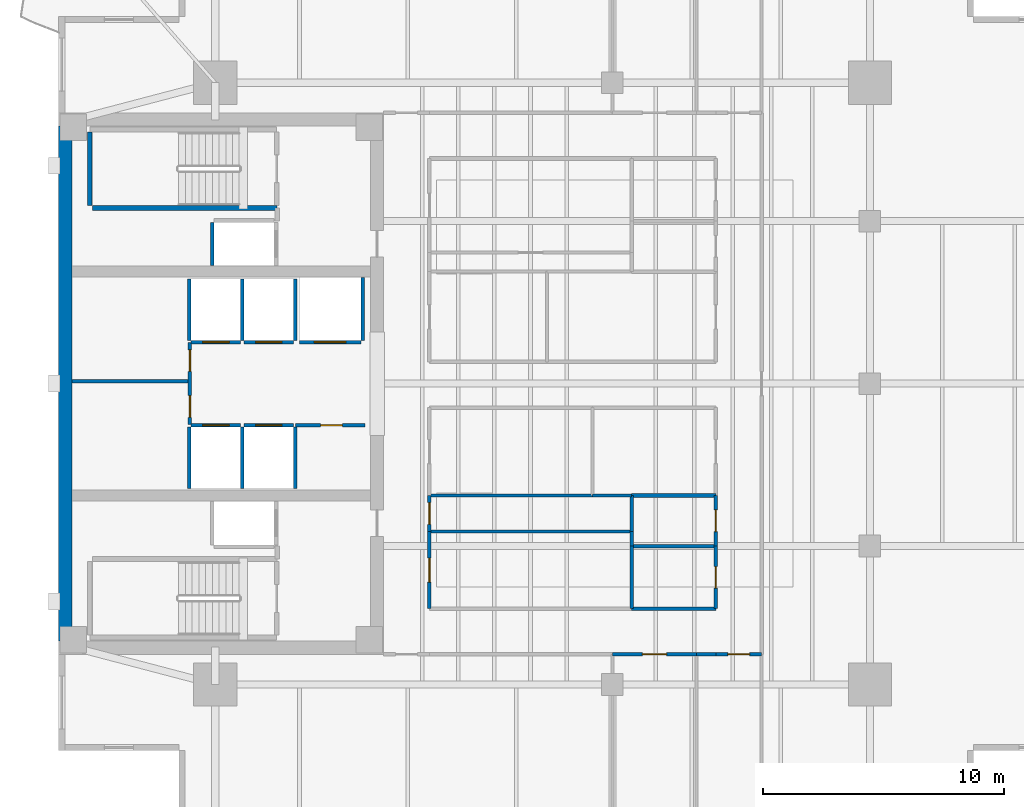
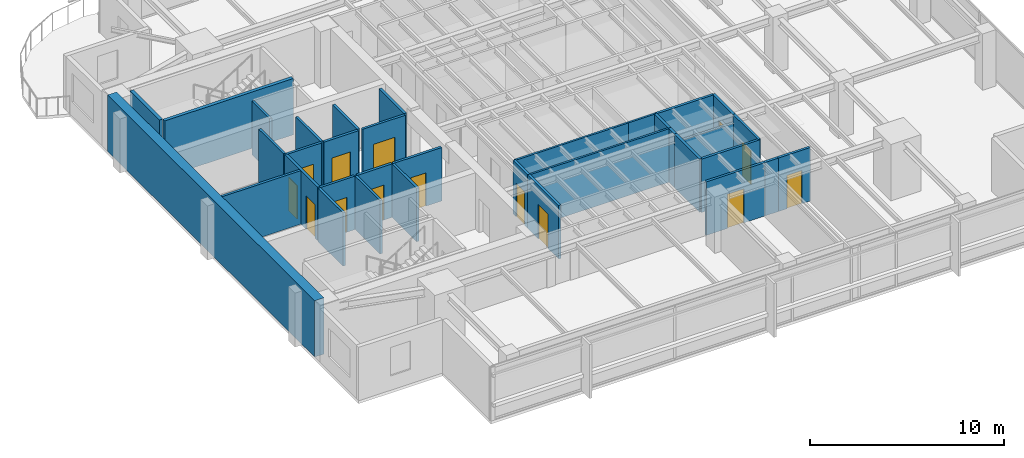
# One storey, part 8 of 15: 35 walls, 14 doors, 14 openings.
"""IFC4 building model written with IfcOpenShell, lengths in metres."""

from ifc_helpers import new_model, si_unit, direction, frame, frame_2d, origin, place, context, subcontext, project, spatial, rectangle, extrude, material, layer, layer_set, type_object, element, fill, save


model = new_model("IFC4")

# Units and contexts
model_context = context("Model", 3, precision=1e-05, world=origin(), true_north=direction((0.0, 1.0)))
body_context = subcontext(model_context, "Body", "Model", "MODEL_VIEW")
ifc_project = project(units=[si_unit("LENGTHUNIT", "METRE"), si_unit("AREAUNIT", "SQUARE_METRE"), si_unit("VOLUMEUNIT", "CUBIC_METRE"), si_unit("PLANEANGLEUNIT", "RADIAN"), si_unit("MASSUNIT", "GRAM", prefix="KILO")], contexts=[model_context])

# Site, building, storey
site_placement = place(None, origin())
site = spatial("IfcSite", under=ifc_project, at=site_placement, CompositionType="ELEMENT")
building_placement = place(site_placement, origin())
building = spatial("IfcBuilding", under=site, at=building_placement, Name="Kinhvarn Gate Tower", CompositionType="ELEMENT")
storey_placement = place(building_placement, frame((0.0, 0.0, 220.0)))
storey = spatial("IfcBuildingStorey", under=building, at=storey_placement, Name="L58", CompositionType="ELEMENT", Elevation=220.0)

# Walls
ifc_material_1 = material(Name="Concrete C60/75", Category="concrete")
ifc_layer_1 = layer(ifc_material_1, 0.550048828125)
ifc_layer_set_1 = layer_set([ifc_layer_1], Name="Concrete C60/75")
wall_type_1 = type_object("IfcWallType", Name="WL-COREX-550", PredefinedType="SHEAR", material=ifc_layer_set_1)
wall_1_placement = place(storey_placement, frame((4.77490234375, 14.550048828125, 0.0), z_axis=(0.0, 0.0, 1.0), x_axis=(0.0, 1.0, 0.0)))
element("IfcWall", 1, at=wall_1_placement, inside=storey, type_object=wall_type_1, Name="Core West Shear Wall L58 550 mm", PredefinedType="SHEAR", context=body_context, shape_type="SweptSolid", body=[
    extrude(rectangle(XDim=21.39990234375, YDim=0.550048828125, at=frame_2d((10.699951171875, 0.0))), origin(), (0.0, 0.0, 1.0), 3.550048828125),
])
ifc_material_2 = material(Name="Gypsum acoustic partition board")
ifc_layer_2 = layer(ifc_material_2, 0.14990234375)
ifc_layer_set_2 = layer_set([ifc_layer_2], Name="Gypsum acoustic partition board")
wall_type_2 = type_object("IfcWallType", Name="WL-PLM-150", PredefinedType="PLUMBINGWALL", material=ifc_layer_set_2)
wall_2_placement = place(storey_placement, frame((28.300048828125, 18.5, 0.0), z_axis=(0.0, 0.0, 1.0), x_axis=(1.0, 0.0, 0.0)))
element("IfcWall", 2, at=wall_2_placement, inside=storey, type_object=wall_type_2, Name="Interior Partition PLW-150 (L58)", PredefinedType="PLUMBINGWALL", context=body_context, shape_type="SweptSolid", body=[
    extrude(rectangle(XDim=3.5, YDim=0.14990234375, at=frame_2d((1.75, 0.0))), origin(), (0.0, 0.0, 1.0), 2.8701171875),
])
wall_3_placement = place(storey_placement, frame((28.300048828125, 15.89990234375, 0.0), z_axis=(0.0, 0.0, 1.0), x_axis=(0.0, 1.0, 0.0)))
element("IfcWall", 3, at=wall_3_placement, inside=storey, type_object=wall_type_2, Name="Interior Partition PLW-150 (L58)", PredefinedType="PLUMBINGWALL", context=body_context, shape_type="SweptSolid", body=[
    extrude(rectangle(XDim=2.60009765625, YDim=0.14990234375, at=frame_2d((1.300048828125, 0.0))), origin(), (0.0, 0.0, 1.0), 3.3701171875),
])
wall_4_placement = place(storey_placement, frame((28.300048828125, 18.5, 0.0), z_axis=(0.0, 0.0, 1.0), x_axis=(0.0, 1.0, 0.0)))
element("IfcWall", 4, at=wall_4_placement, inside=storey, type_object=wall_type_2, Name="Interior Partition PLW-150 (L58)", PredefinedType="PLUMBINGWALL", context=body_context, shape_type="SweptSolid", body=[
    extrude(rectangle(XDim=0.60009765625, YDim=0.14990234375, at=frame_2d((0.300048828125, 0.0))), origin(), (0.0, 0.0, 1.0), 3.3701171875),
])
wall_5_placement = place(storey_placement, frame((28.300048828125, 19.10009765625, 0.0), z_axis=(0.0, 0.0, 1.0), x_axis=(0.0, 1.0, 0.0)))
element("IfcWall", 5, at=wall_5_placement, inside=storey, type_object=wall_type_2, Name="Interior Partition PLW-150 (L58)", PredefinedType="PLUMBINGWALL", context=body_context, shape_type="SweptSolid", body=[
    extrude(rectangle(XDim=1.5, YDim=0.14990234375, at=frame_2d((0.75, 0.0))), origin(), (0.0, 0.0, 1.0), 3.3701171875),
])
wall_6_placement = place(storey_placement, frame((28.300048828125, 20.60009765625, 0.0), z_axis=(0.0, 0.0, 1.0), x_axis=(1.0, 0.0, 0.0)))
element("IfcWall", 6, at=wall_6_placement, inside=storey, type_object=wall_type_2, Name="Interior Partition PLW-150 (L58)", PredefinedType="PLUMBINGWALL", context=body_context, shape_type="SweptSolid", body=[
    extrude(rectangle(XDim=3.5, YDim=0.14990234375, at=frame_2d((1.75, 0.0))), origin(), (0.0, 0.0, 1.0), 3.3701171875),
])

# Wall, opening, door
ifc_layer_3 = layer(ifc_material_2, 0.14990234375)
ifc_layer_set_3 = layer_set([ifc_layer_3], Name="Gypsum acoustic partition board")
wall_type_3 = type_object("IfcWallType", Name="WL-PLM-150F", PredefinedType="PLUMBINGWALL", material=ifc_layer_set_3)
wall_7_placement = place(storey_placement, frame((31.800048828125, 15.89990234375, 0.0), z_axis=(0.0, 0.0, 1.0), x_axis=(0.0, 1.0, 0.0)))
wall_7 = element("IfcWall", 7, at=wall_7_placement, inside=storey, type_object=wall_type_3, Name="Interior Partition PLW-150F (L58)", PredefinedType="PLUMBINGWALL", context=body_context, shape_type="SweptSolid", body=[
    extrude(rectangle(XDim=2.60009765625, YDim=0.14990234375, at=frame_2d((1.300048828125, 0.0))), origin(), (0.0, 0.0, 1.0), 3.3701171875),
])
opening_1_placement = place(wall_7_placement, frame((0.85009765625, 0.0, 0.0)))
opening_1 = element("IfcOpeningElement", 8, at=opening_1_placement, cuts=wall_7, Name="Opening FD-04", PredefinedType="OPENING", context=body_context, shape_type="SweptSolid", body=[
    extrude(rectangle(XDim=0.89990234375, YDim=2.10009765625, at=frame_2d((0.449951171875, 1.050048828125))), frame((0.0, 0.0849609375, 0.0), z_axis=(0.0, -1.0, 0.0), x_axis=(1.0, 0.0, 0.0)), (0.0, 0.0, 1.0), 0.169921875),
])
ifc_material_3 = material(Name="Anodised aluminium AW-6063", Category="aluminium")
door_type_1 = type_object("IfcDoorType", Name="DR-FD-900", OperationType="NOTDEFINED", PredefinedType="DOOR", material=ifc_material_3)
door_1_placement = place(opening_1_placement, origin())
door_1 = element("IfcDoor", 9, at=door_1_placement, inside=storey, type_object=door_type_1, Name="Rated Riser & Service Closet Fire Door 900x2100 mm (L58)", OperationType="SINGLE_SWING_RIGHT", OverallHeight=2.10009765625, OverallWidth=0.89990234375, PredefinedType="DOOR", context=body_context, shape_type="SweptSolid", body=[
    extrude(rectangle(XDim=0.89990234375, YDim=2.10009765625, at=frame_2d((0.449951171875, 1.050048828125))), frame((0.0, 0.02490234375, 0.0), z_axis=(0.0, -1.0, 0.0), x_axis=(1.0, 0.0, 0.0)), (0.0, 0.0, 1.0), 0.050048828125),
])
fill(opening_1, door_1)

wall_8_placement = place(storey_placement, frame((31.800048828125, 18.5, 0.0), z_axis=(0.0, 0.0, 1.0), x_axis=(0.0, 1.0, 0.0)))
wall_8 = element("IfcWall", 10, at=wall_8_placement, inside=storey, type_object=wall_type_3, Name="Interior Partition PLW-150F (L58)", PredefinedType="PLUMBINGWALL", context=body_context, shape_type="SweptSolid", body=[
    extrude(rectangle(XDim=2.10009765625, YDim=0.14990234375, at=frame_2d((1.050048828125, 0.0))), origin(), (0.0, 0.0, 1.0), 3.3701171875),
])
opening_2_placement = place(wall_8_placement, frame((0.60009765625, 0.0, 0.0)))
opening_2 = element("IfcOpeningElement", 11, at=opening_2_placement, cuts=wall_8, Name="Opening FD-04", PredefinedType="OPENING", context=body_context, shape_type="SweptSolid", body=[
    extrude(rectangle(XDim=0.89990234375, YDim=2.10009765625, at=frame_2d((0.449951171875, 1.050048828125))), frame((0.0, 0.0849609375, 0.0), z_axis=(0.0, -1.0, 0.0), x_axis=(1.0, 0.0, 0.0)), (0.0, 0.0, 1.0), 0.169921875),
])
door_2_placement = place(opening_2_placement, origin())
door_2 = element("IfcDoor", 12, at=door_2_placement, inside=storey, type_object=door_type_1, Name="Rated Riser & Service Closet Fire Door 900x2100 mm (L58)", OperationType="SINGLE_SWING_RIGHT", OverallHeight=2.10009765625, OverallWidth=0.89990234375, PredefinedType="DOOR", context=body_context, shape_type="SweptSolid", body=[
    extrude(rectangle(XDim=0.89990234375, YDim=2.10009765625, at=frame_2d((0.449951171875, 1.050048828125))), frame((0.0, 0.02490234375, 0.0), z_axis=(0.0, -1.0, 0.0), x_axis=(1.0, 0.0, 0.0)), (0.0, 0.0, 1.0), 0.050048828125),
])
fill(opening_2, door_2)

# Walls
wall_9_placement = place(storey_placement, frame((28.300048828125, 15.89990234375, 0.0), z_axis=(0.0, 0.0, 1.0), x_axis=(1.0, 0.0, 0.0)))
element("IfcWall", 13, at=wall_9_placement, inside=storey, type_object=wall_type_3, Name="Interior Partition PLW-150F (L58)", PredefinedType="PLUMBINGWALL", context=body_context, shape_type="SweptSolid", body=[
    extrude(rectangle(XDim=3.5, YDim=0.14990234375, at=frame_2d((1.75, 0.0))), origin(), (0.0, 0.0, 1.0), 3.3701171875),
])
ifc_layer_4 = layer(ifc_material_2, 0.1201171875)
ifc_layer_set_4 = layer_set([ifc_layer_4], Name="Gypsum acoustic partition board")
wall_type_4 = type_object("IfcWallType", Name="WL-PRT-120", PredefinedType="PARTITIONING", material=ifc_layer_set_4)
wall_10_placement = place(storey_placement, frame((19.89990234375, 19.10009765625, 0.0), z_axis=(0.0, 0.0, 1.0), x_axis=(1.0, 0.0, 0.0)))
element("IfcWall", 14, at=wall_10_placement, inside=storey, type_object=wall_type_4, Name="Interior Partition PW-120 (L58)", PredefinedType="PARTITIONING", context=body_context, shape_type="SweptSolid", body=[
    extrude(rectangle(XDim=8.400146484375, YDim=0.1201171875, at=frame_2d((4.2001953125, 0.0))), origin(), (0.0, 0.0, 1.0), 3.3701171875),
])
wall_11_placement = place(storey_placement, frame((19.89990234375, 20.60009765625, 0.0), z_axis=(0.0, 0.0, 1.0), x_axis=(1.0, 0.0, 0.0)))
element("IfcWall", 15, at=wall_11_placement, inside=storey, type_object=wall_type_4, Name="Interior Partition PW-120 (L58)", PredefinedType="PARTITIONING", context=body_context, shape_type="SweptSolid", body=[
    extrude(rectangle(XDim=6.780029296875, YDim=0.1201171875, at=frame_2d((3.39013671875, 0.0))), origin(), (0.0, 0.0, 1.0), 3.3701171875),
])
wall_12_placement = place(storey_placement, frame((26.679931640625, 20.60009765625, 0.0), z_axis=(0.0, 0.0, 1.0), x_axis=(1.0, 0.0, 0.0)))
element("IfcWall", 16, at=wall_12_placement, inside=storey, type_object=wall_type_4, Name="Interior Partition PW-120 (L58)", PredefinedType="PARTITIONING", context=body_context, shape_type="SweptSolid", body=[
    extrude(rectangle(XDim=1.6201171875, YDim=0.1201171875, at=frame_2d((0.81005859375, 0.0))), origin(), (0.0, 0.0, 1.0), 3.3701171875),
])
ifc_layer_5 = layer(ifc_material_2, 0.14990234375)
ifc_layer_set_5 = layer_set([ifc_layer_5], Name="Gypsum acoustic partition board")
wall_type_5 = type_object("IfcWallType", Name="WL-PRT-150F", PredefinedType="PARTITIONING", material=ifc_layer_set_5)
wall_13_placement = place(storey_placement, frame((5.050048828125, 25.35009765625, 0.0), z_axis=(0.0, 0.0, 1.0), x_axis=(1.0, 0.0, 0.0)))
element("IfcWall", 17, at=wall_13_placement, inside=storey, type_object=wall_type_5, Name="Interior Partition PW-150F (L58)", PredefinedType="PARTITIONING", context=body_context, shape_type="SweptSolid", body=[
    extrude(rectangle(XDim=4.89990234375, YDim=0.14990234375, at=frame_2d((2.449951171875, 0.0))), origin(), (0.0, 0.0, 1.0), 3.3701171875),
])

# Wall, openings, doors
wall_14_placement = place(storey_placement, frame((9.949951171875, 23.550048828125, 0.0), z_axis=(0.0, 0.0, 1.0), x_axis=(0.0, 1.0, 0.0)))
wall_14 = element("IfcWall", 18, at=wall_14_placement, inside=storey, type_object=wall_type_5, Name="Interior Partition PW-150F (L58)", PredefinedType="PARTITIONING", context=body_context, shape_type="SweptSolid", body=[
    extrude(rectangle(XDim=3.39990234375, YDim=0.14990234375, at=frame_2d((1.699951171875, 0.0))), origin(), (0.0, 0.0, 1.0), 3.3701171875),
])
opening_3_placement = place(wall_14_placement, frame((0.298095703125, 0.0, 0.0)))
opening_3 = element("IfcOpeningElement", 19, at=opening_3_placement, cuts=wall_14, Name="Opening FD-04", PredefinedType="OPENING", context=body_context, shape_type="SweptSolid", body=[
    extrude(rectangle(XDim=0.89990234375, YDim=2.10009765625, at=frame_2d((0.449951171875, 1.050048828125))), frame((0.0, 0.0849609375, 0.0), z_axis=(0.0, -1.0, 0.0), x_axis=(1.0, 0.0, 0.0)), (0.0, 0.0, 1.0), 0.169921875),
])
opening_4_placement = place(wall_14_placement, frame((2.201904296875, 0.0, 0.0)))
opening_4 = element("IfcOpeningElement", 20, at=opening_4_placement, cuts=wall_14, Name="Opening FD-04", PredefinedType="OPENING", context=body_context, shape_type="SweptSolid", body=[
    extrude(rectangle(XDim=0.89990234375, YDim=2.10009765625, at=frame_2d((0.449951171875, 1.050048828125))), frame((0.0, 0.0849609375, 0.0), z_axis=(0.0, -1.0, 0.0), x_axis=(1.0, 0.0, 0.0)), (0.0, 0.0, 1.0), 0.169921875),
])
door_3_placement = place(opening_3_placement, origin())
door_3 = element("IfcDoor", 21, at=door_3_placement, inside=storey, type_object=door_type_1, Name="Rated Riser & Service Closet Fire Door 900x2100 mm (L58)", OperationType="SINGLE_SWING_RIGHT", OverallHeight=2.10009765625, OverallWidth=0.89990234375, PredefinedType="DOOR", context=body_context, shape_type="SweptSolid", body=[
    extrude(rectangle(XDim=0.89990234375, YDim=2.10009765625, at=frame_2d((0.449951171875, 1.050048828125))), frame((0.0, 0.02490234375, 0.0), z_axis=(0.0, -1.0, 0.0), x_axis=(1.0, 0.0, 0.0)), (0.0, 0.0, 1.0), 0.050048828125),
])
fill(opening_3, door_3)
door_4_placement = place(opening_4_placement, origin())
door_4 = element("IfcDoor", 22, at=door_4_placement, inside=storey, type_object=door_type_1, Name="Rated Riser & Service Closet Fire Door 900x2100 mm (L58)", OperationType="SINGLE_SWING_LEFT", OverallHeight=2.10009765625, OverallWidth=0.89990234375, PredefinedType="DOOR", context=body_context, shape_type="SweptSolid", body=[
    extrude(rectangle(XDim=0.89990234375, YDim=2.10009765625, at=frame_2d((0.449951171875, 1.050048828125))), frame((0.0, 0.02490234375, 0.0), z_axis=(0.0, -1.0, 0.0), x_axis=(1.0, 0.0, 0.0)), (0.0, 0.0, 1.0), 0.050048828125),
])
fill(opening_4, door_4)

# Wall, opening, door
wall_15_placement = place(storey_placement, frame((14.330078125, 23.52001953125, 0.0), z_axis=(0.0, 0.0, 1.0), x_axis=(1.0, 0.0, 0.0)))
wall_15 = element("IfcWall", 23, at=wall_15_placement, inside=storey, type_object=wall_type_5, Name="Interior Partition PW-150F (L58)", PredefinedType="PARTITIONING", context=body_context, shape_type="SweptSolid", body=[
    extrude(rectangle(XDim=2.889892578125, YDim=0.14990234375, at=frame_2d((1.44482421875, 0.0))), origin(), (0.0, 0.0, 1.0), 3.3701171875),
])
opening_5_placement = place(wall_15_placement, frame((1.052734375, 0.0, 0.0)))
opening_5 = element("IfcOpeningElement", 24, at=opening_5_placement, cuts=wall_15, Name="Opening FD-04", PredefinedType="OPENING", context=body_context, shape_type="SweptSolid", body=[
    extrude(rectangle(XDim=0.89990234375, YDim=2.10009765625, at=frame_2d((0.449951171875, 1.050048828125))), frame((0.0, 0.0849609375, 0.0), z_axis=(0.0, -1.0, 0.0), x_axis=(1.0, 0.0, 0.0)), (0.0, 0.0, 1.0), 0.169921875),
])
door_5_placement = place(opening_5_placement, origin())
door_5 = element("IfcDoor", 25, at=door_5_placement, inside=storey, type_object=door_type_1, Name="Rated Riser & Service Closet Fire Door 900x2100 mm (L58)", OperationType="SINGLE_SWING_RIGHT", OverallHeight=2.10009765625, OverallWidth=0.89990234375, PredefinedType="DOOR", context=body_context, shape_type="SweptSolid", body=[
    extrude(rectangle(XDim=0.89990234375, YDim=2.10009765625, at=frame_2d((0.449951171875, 1.050048828125))), frame((0.0, 0.02490234375, 0.0), z_axis=(0.0, -1.0, 0.0), x_axis=(1.0, 0.0, 0.0)), (0.0, 0.0, 1.0), 0.050048828125),
])
fill(opening_5, door_5)

wall_16_placement = place(storey_placement, frame((19.89990234375, 15.89990234375, 0.0), z_axis=(0.0, 0.0, 1.0), x_axis=(0.0, 1.0, 0.0)))
wall_16 = element("IfcWall", 26, at=wall_16_placement, inside=storey, type_object=wall_type_5, Name="Interior Partition PW-150F (L58)", PredefinedType="PARTITIONING", context=body_context, shape_type="SweptSolid", body=[
    extrude(rectangle(XDim=3.2001953125, YDim=0.14990234375, at=frame_2d((1.60009765625, 0.0))), origin(), (0.0, 0.0, 1.0), 3.3701171875),
])
opening_6_placement = place(wall_16_placement, frame((1.10009765625, 0.0, 0.0)))
opening_6 = element("IfcOpeningElement", 27, at=opening_6_placement, cuts=wall_16, Name="Opening ID-02", PredefinedType="OPENING", context=body_context, shape_type="SweptSolid", body=[
    extrude(rectangle(XDim=1.0, YDim=2.14990234375, at=frame_2d((0.5, 1.074951171875))), frame((0.0, 0.0849609375, 0.0), z_axis=(0.0, -1.0, 0.0), x_axis=(1.0, 0.0, 0.0)), (0.0, 0.0, 1.0), 0.169921875),
])
door_type_2 = type_object("IfcDoorType", Name="DR-INT-1000", OperationType="NOTDEFINED", PredefinedType="DOOR", material=ifc_material_3)
door_6_placement = place(opening_6_placement, origin())
door_6 = element("IfcDoor", 28, at=door_6_placement, inside=storey, type_object=door_type_2, Name="Standard Office & Meeting Room Door 1000x2150 mm (L58)", OperationType="SINGLE_SWING_LEFT", OverallHeight=2.14990234375, OverallWidth=1.0, PredefinedType="DOOR", context=body_context, shape_type="SweptSolid", body=[
    extrude(rectangle(XDim=1.0, YDim=2.14990234375, at=frame_2d((0.5, 1.074951171875))), frame((0.0, 0.02490234375, 0.0), z_axis=(0.0, -1.0, 0.0), x_axis=(1.0, 0.0, 0.0)), (0.0, 0.0, 1.0), 0.050048828125),
])
fill(opening_6, door_6)

wall_17_placement = place(storey_placement, frame((19.89990234375, 19.10009765625, 0.0), z_axis=(0.0, 0.0, 1.0), x_axis=(0.0, 1.0, 0.0)))
wall_17 = element("IfcWall", 29, at=wall_17_placement, inside=storey, type_object=wall_type_5, Name="Interior Partition PW-150F (L58)", PredefinedType="PARTITIONING", context=body_context, shape_type="SweptSolid", body=[
    extrude(rectangle(XDim=1.5, YDim=0.14990234375, at=frame_2d((0.75, 0.0))), origin(), (0.0, 0.0, 1.0), 3.3701171875),
])
opening_7_placement = place(wall_17_placement, frame((0.300048828125, 0.0, 0.0)))
opening_7 = element("IfcOpeningElement", 30, at=opening_7_placement, cuts=wall_17, Name="Opening ID-03", PredefinedType="OPENING", context=body_context, shape_type="SweptSolid", body=[
    extrude(rectangle(XDim=0.89990234375, YDim=2.10009765625, at=frame_2d((0.449951171875, 1.050048828125))), frame((0.0, 0.0849609375, 0.0), z_axis=(0.0, -1.0, 0.0), x_axis=(1.0, 0.0, 0.0)), (0.0, 0.0, 1.0), 0.169921875),
])
door_type_3 = type_object("IfcDoorType", Name="DR-INT-900", OperationType="NOTDEFINED", PredefinedType="DOOR", material=ifc_material_3)
door_7_placement = place(opening_7_placement, origin())
door_7 = element("IfcDoor", 31, at=door_7_placement, inside=storey, type_object=door_type_3, Name="Cellular Office & Restroom Door 900x2100 mm (L58)", OperationType="SINGLE_SWING_RIGHT", OverallHeight=2.10009765625, OverallWidth=0.89990234375, PredefinedType="DOOR", context=body_context, shape_type="SweptSolid", body=[
    extrude(rectangle(XDim=0.89990234375, YDim=2.10009765625, at=frame_2d((0.449951171875, 1.050048828125))), frame((0.0, 0.02490234375, 0.0), z_axis=(0.0, -1.0, 0.0), x_axis=(1.0, 0.0, 0.0)), (0.0, 0.0, 1.0), 0.050048828125),
])
fill(opening_7, door_7)

wall_18_placement = place(storey_placement, frame((31.800048828125, 14.0, 0.0), z_axis=(0.0, 0.0, 1.0), x_axis=(1.0, 0.0, 0.0)))
wall_18 = element("IfcWall", 32, at=wall_18_placement, inside=storey, type_object=wall_type_5, Name="Interior Partition PW-150F (L58)", PredefinedType="PARTITIONING", context=body_context, shape_type="SweptSolid", body=[
    extrude(rectangle(XDim=1.89990234375, YDim=0.14990234375, at=frame_2d((0.949951171875, 0.0))), origin(), (0.0, 0.0, 1.0), 3.3701171875),
])
opening_8_placement = place(wall_18_placement, frame((0.5, 0.0, 0.0)))
opening_8 = element("IfcOpeningElement", 33, at=opening_8_placement, cuts=wall_18, Name="Opening ID-03", PredefinedType="OPENING", context=body_context, shape_type="SweptSolid", body=[
    extrude(rectangle(XDim=0.89990234375, YDim=2.10009765625, at=frame_2d((0.449951171875, 1.050048828125))), frame((0.0, 0.0849609375, 0.0), z_axis=(0.0, -1.0, 0.0), x_axis=(1.0, 0.0, 0.0)), (0.0, 0.0, 1.0), 0.169921875),
])
door_8_placement = place(opening_8_placement, origin())
door_8 = element("IfcDoor", 34, at=door_8_placement, inside=storey, type_object=door_type_3, Name="Cellular Office & Restroom Door 900x2100 mm (L58)", OperationType="SINGLE_SWING_RIGHT", OverallHeight=2.10009765625, OverallWidth=0.89990234375, PredefinedType="DOOR", context=body_context, shape_type="SweptSolid", body=[
    extrude(rectangle(XDim=0.89990234375, YDim=2.10009765625, at=frame_2d((0.449951171875, 1.050048828125))), frame((0.0, 0.02490234375, 0.0), z_axis=(0.0, -1.0, 0.0), x_axis=(1.0, 0.0, 0.0)), (0.0, 0.0, 1.0), 0.050048828125),
])
fill(opening_8, door_8)

wall_19_placement = place(storey_placement, frame((27.5, 14.0, 0.0), z_axis=(0.0, 0.0, 1.0), x_axis=(1.0, 0.0, 0.0)))
wall_19 = element("IfcWall", 35, at=wall_19_placement, inside=storey, type_object=wall_type_5, Name="Interior Partition PW-150F (L58)", PredefinedType="PARTITIONING", context=body_context, shape_type="SweptSolid", body=[
    extrude(rectangle(XDim=3.5, YDim=0.14990234375, at=frame_2d((1.75, 0.0))), origin(), (0.0, 0.0, 1.0), 3.3701171875),
])
opening_9_placement = place(wall_19_placement, frame((1.25, 0.0, 0.0)))
opening_9 = element("IfcOpeningElement", 36, at=opening_9_placement, cuts=wall_19, Name="Opening ID-02", PredefinedType="OPENING", context=body_context, shape_type="SweptSolid", body=[
    extrude(rectangle(XDim=1.0, YDim=2.14990234375, at=frame_2d((0.5, 1.074951171875))), frame((0.0, 0.0849609375, 0.0), z_axis=(0.0, -1.0, 0.0), x_axis=(1.0, 0.0, 0.0)), (0.0, 0.0, 1.0), 0.169921875),
])
door_9_placement = place(opening_9_placement, origin())
door_9 = element("IfcDoor", 37, at=door_9_placement, inside=storey, type_object=door_type_2, Name="Standard Office & Meeting Room Door 1000x2150 mm (L58)", OperationType="SINGLE_SWING_LEFT", OverallHeight=2.14990234375, OverallWidth=1.0, PredefinedType="DOOR", context=body_context, shape_type="SweptSolid", body=[
    extrude(rectangle(XDim=1.0, YDim=2.14990234375, at=frame_2d((0.5, 1.074951171875))), frame((0.0, 0.02490234375, 0.0), z_axis=(0.0, -1.0, 0.0), x_axis=(1.0, 0.0, 0.0)), (0.0, 0.0, 1.0), 0.050048828125),
])
fill(opening_9, door_9)

# Wall
wall_20_placement = place(storey_placement, frame((31.0, 14.0, 0.0), z_axis=(0.0, 0.0, 1.0), x_axis=(1.0, 0.0, 0.0)))
element("IfcWall", 38, at=wall_20_placement, inside=storey, type_object=wall_type_5, Name="Interior Partition PW-150F (L58)", PredefinedType="PARTITIONING", context=body_context, shape_type="SweptSolid", body=[
    extrude(rectangle(XDim=0.800048828125, YDim=0.14990234375, at=frame_2d((0.39990234375, 0.0))), origin(), (0.0, 0.0, 1.0), 3.3701171875),
])

# Wall, opening, door
ifc_layer_6 = layer(ifc_material_2, 0.14990234375)
ifc_layer_set_6 = layer_set([ifc_layer_6], Name="Gypsum acoustic partition board")
wall_type_6 = type_object("IfcWallType", Name="WL-SHF-150", PredefinedType="PARTITIONING", material=ifc_layer_set_6)
wall_21_placement = place(storey_placement, frame((10.0, 23.52490234375, 0.0), z_axis=(0.0, 0.0, 1.0), x_axis=(1.0, 0.0, 0.0)))
wall_21 = element("IfcWall", 39, at=wall_21_placement, inside=storey, type_object=wall_type_6, Name="Elevator PH-09 Landing Wall (L58)", PredefinedType="PARTITIONING", context=body_context, shape_type="SweptSolid", body=[
    extrude(rectangle(XDim=2.050048828125, YDim=0.14990234375, at=frame_2d((1.02490234375, 0.0))), origin(), (0.0, 0.0, 1.0), 3.3701171875),
])
opening_10_placement = place(wall_21_placement, frame((0.47509765625, 0.0, 0.0)))
opening_10 = element("IfcOpeningElement", 40, at=opening_10_placement, cuts=wall_21, Name="Opening LD-01", PredefinedType="OPENING", context=body_context, shape_type="SweptSolid", body=[
    extrude(rectangle(XDim=1.10009765625, YDim=2.199951171875, at=frame_2d((0.550048828125, 1.10009765625))), frame((0.0, 0.0849609375, 0.0), z_axis=(0.0, -1.0, 0.0), x_axis=(1.0, 0.0, 0.0)), (0.0, 0.0, 1.0), 0.169921875),
])
door_type_4 = type_object("IfcDoorType", Name="DR-LND-PAS", OperationType="NOTDEFINED", PredefinedType="DOOR", material=ifc_material_3)
door_10_placement = place(opening_10_placement, origin())
door_10 = element("IfcDoor", 41, at=door_10_placement, inside=storey, type_object=door_type_4, Name="Elevator PH-09 Sliding Landing Door (L58)", OperationType="DOUBLE_DOOR_SLIDING", OverallHeight=2.199951171875, OverallWidth=1.10009765625, PredefinedType="DOOR", context=body_context, shape_type="SweptSolid", body=[
    extrude(rectangle(XDim=1.10009765625, YDim=2.199951171875, at=frame_2d((0.550048828125, 1.10009765625))), frame((0.0, 0.02490234375, 0.0), z_axis=(0.0, -1.0, 0.0), x_axis=(1.0, 0.0, 0.0)), (0.0, 0.0, 1.0), 0.050048828125),
])
fill(opening_10, door_10)

# Walls
for number, where, z_axis, x_axis, name in (
    (42, (9.925048828125, 20.89990234375, 0.0), (0.0, 0.0, 1.0), (0.0, 1.0, 0.0), "Elevator PH-09 Hoistway Wall W (L58)"),
    (43, (12.125, 20.89990234375, 0.0), (0.0, 0.0, 1.0), (0.0, 1.0, 0.0), "Elevator PH-09 Hoistway Wall E (L58)"),
):
    element("IfcWall", number, at=place(storey_placement, frame(where, z_axis=z_axis, x_axis=x_axis)), inside=storey, type_object=wall_type_6, Name=name, PredefinedType="PARTITIONING", context=body_context, shape_type="SweptSolid", body=[
        extrude(rectangle(XDim=2.550048828125, YDim=0.14990234375, at=frame_2d((1.27490234375, 0.0))), origin(), (0.0, 0.0, 1.0), 3.3701171875),
    ])

# Wall, opening, door
wall_22_placement = place(storey_placement, frame((12.199951171875, 23.52490234375, 0.0), z_axis=(0.0, 0.0, 1.0), x_axis=(1.0, 0.0, 0.0)))
wall_22 = element("IfcWall", 44, at=wall_22_placement, inside=storey, type_object=wall_type_6, Name="Elevator PH-10 Landing Wall (L58)", PredefinedType="PARTITIONING", context=body_context, shape_type="SweptSolid", body=[
    extrude(rectangle(XDim=2.050048828125, YDim=0.14990234375, at=frame_2d((1.02490234375, 0.0))), origin(), (0.0, 0.0, 1.0), 3.3701171875),
])
opening_11_placement = place(wall_22_placement, frame((0.47509765625, 0.0, 0.0)))
opening_11 = element("IfcOpeningElement", 45, at=opening_11_placement, cuts=wall_22, Name="Opening LD-01", PredefinedType="OPENING", context=body_context, shape_type="SweptSolid", body=[
    extrude(rectangle(XDim=1.10009765625, YDim=2.199951171875, at=frame_2d((0.550048828125, 1.10009765625))), frame((0.0, 0.0849609375, 0.0), z_axis=(0.0, -1.0, 0.0), x_axis=(1.0, 0.0, 0.0)), (0.0, 0.0, 1.0), 0.169921875),
])
door_11_placement = place(opening_11_placement, origin())
door_11 = element("IfcDoor", 46, at=door_11_placement, inside=storey, type_object=door_type_4, Name="Elevator PH-10 Sliding Landing Door (L58)", OperationType="DOUBLE_DOOR_SLIDING", OverallHeight=2.199951171875, OverallWidth=1.10009765625, PredefinedType="DOOR", context=body_context, shape_type="SweptSolid", body=[
    extrude(rectangle(XDim=1.10009765625, YDim=2.199951171875, at=frame_2d((0.550048828125, 1.10009765625))), frame((0.0, 0.02490234375, 0.0), z_axis=(0.0, -1.0, 0.0), x_axis=(1.0, 0.0, 0.0)), (0.0, 0.0, 1.0), 0.050048828125),
])
fill(opening_11, door_11)

# Wall
wall_23_placement = place(storey_placement, frame((14.324951171875, 20.89990234375, 0.0), z_axis=(0.0, 0.0, 1.0), x_axis=(0.0, 1.0, 0.0)))
element("IfcWall", 47, at=wall_23_placement, inside=storey, type_object=wall_type_6, Name="Elevator PH-10 Hoistway Wall E (L58)", PredefinedType="PARTITIONING", context=body_context, shape_type="SweptSolid", body=[
    extrude(rectangle(XDim=2.550048828125, YDim=0.14990234375, at=frame_2d((1.27490234375, 0.0))), origin(), (0.0, 0.0, 1.0), 3.3701171875),
])

# Wall, opening, door
wall_24_placement = place(storey_placement, frame((10.0, 26.97509765625, 0.0), z_axis=(0.0, 0.0, 1.0), x_axis=(1.0, 0.0, 0.0)))
wall_24 = element("IfcWall", 48, at=wall_24_placement, inside=storey, type_object=wall_type_6, Name="Elevator PH-11 Landing Wall (L58)", PredefinedType="PARTITIONING", context=body_context, shape_type="SweptSolid", body=[
    extrude(rectangle(XDim=2.050048828125, YDim=0.14990234375, at=frame_2d((1.02490234375, 0.0))), origin(), (0.0, 0.0, 1.0), 3.3701171875),
])
opening_12_placement = place(wall_24_placement, frame((0.47509765625, 0.0, 0.0)))
opening_12 = element("IfcOpeningElement", 49, at=opening_12_placement, cuts=wall_24, Name="Opening LD-01", PredefinedType="OPENING", context=body_context, shape_type="SweptSolid", body=[
    extrude(rectangle(XDim=1.10009765625, YDim=2.199951171875, at=frame_2d((0.550048828125, 1.10009765625))), frame((0.0, 0.0849609375, 0.0), z_axis=(0.0, -1.0, 0.0), x_axis=(1.0, 0.0, 0.0)), (0.0, 0.0, 1.0), 0.169921875),
])
door_12_placement = place(opening_12_placement, origin())
door_12 = element("IfcDoor", 50, at=door_12_placement, inside=storey, type_object=door_type_4, Name="Elevator PH-11 Sliding Landing Door (L58)", OperationType="DOUBLE_DOOR_SLIDING", OverallHeight=2.199951171875, OverallWidth=1.10009765625, PredefinedType="DOOR", context=body_context, shape_type="SweptSolid", body=[
    extrude(rectangle(XDim=1.10009765625, YDim=2.199951171875, at=frame_2d((0.550048828125, 1.10009765625))), frame((0.0, 0.02490234375, 0.0), z_axis=(0.0, -1.0, 0.0), x_axis=(1.0, 0.0, 0.0)), (0.0, 0.0, 1.0), 0.050048828125),
])
fill(opening_12, door_12)

# Walls
for number, where, z_axis, x_axis, name in (
    (51, (9.925048828125, 27.050048828125, 0.0), (0.0, 0.0, 1.0), (0.0, 1.0, 0.0), "Elevator PH-11 Hoistway Wall W (L58)"),
    (52, (12.125, 27.050048828125, 0.0), (0.0, 0.0, 1.0), (0.0, 1.0, 0.0), "Elevator PH-11 Hoistway Wall E (L58)"),
):
    element("IfcWall", number, at=place(storey_placement, frame(where, z_axis=z_axis, x_axis=x_axis)), inside=storey, type_object=wall_type_6, Name=name, PredefinedType="PARTITIONING", context=body_context, shape_type="SweptSolid", body=[
        extrude(rectangle(XDim=2.550048828125, YDim=0.14990234375, at=frame_2d((1.27490234375, 0.0))), origin(), (0.0, 0.0, 1.0), 3.3701171875),
    ])

# Wall, opening, door
wall_25_placement = place(storey_placement, frame((12.199951171875, 26.97509765625, 0.0), z_axis=(0.0, 0.0, 1.0), x_axis=(1.0, 0.0, 0.0)))
wall_25 = element("IfcWall", 53, at=wall_25_placement, inside=storey, type_object=wall_type_6, Name="Elevator PH-12 Landing Wall (L58)", PredefinedType="PARTITIONING", context=body_context, shape_type="SweptSolid", body=[
    extrude(rectangle(XDim=2.050048828125, YDim=0.14990234375, at=frame_2d((1.02490234375, 0.0))), origin(), (0.0, 0.0, 1.0), 3.3701171875),
])
opening_13_placement = place(wall_25_placement, frame((0.47509765625, 0.0, 0.0)))
opening_13 = element("IfcOpeningElement", 54, at=opening_13_placement, cuts=wall_25, Name="Opening LD-01", PredefinedType="OPENING", context=body_context, shape_type="SweptSolid", body=[
    extrude(rectangle(XDim=1.10009765625, YDim=2.199951171875, at=frame_2d((0.550048828125, 1.10009765625))), frame((0.0, 0.0849609375, 0.0), z_axis=(0.0, -1.0, 0.0), x_axis=(1.0, 0.0, 0.0)), (0.0, 0.0, 1.0), 0.169921875),
])
door_13_placement = place(opening_13_placement, origin())
door_13 = element("IfcDoor", 55, at=door_13_placement, inside=storey, type_object=door_type_4, Name="Elevator PH-12 Sliding Landing Door (L58)", OperationType="DOUBLE_DOOR_SLIDING", OverallHeight=2.199951171875, OverallWidth=1.10009765625, PredefinedType="DOOR", context=body_context, shape_type="SweptSolid", body=[
    extrude(rectangle(XDim=1.10009765625, YDim=2.199951171875, at=frame_2d((0.550048828125, 1.10009765625))), frame((0.0, 0.02490234375, 0.0), z_axis=(0.0, -1.0, 0.0), x_axis=(1.0, 0.0, 0.0)), (0.0, 0.0, 1.0), 0.050048828125),
])
fill(opening_13, door_13)

# Wall
wall_26_placement = place(storey_placement, frame((14.324951171875, 27.050048828125, 0.0), z_axis=(0.0, 0.0, 1.0), x_axis=(0.0, 1.0, 0.0)))
element("IfcWall", 56, at=wall_26_placement, inside=storey, type_object=wall_type_6, Name="Elevator PH-12 Hoistway Wall E (L58)", PredefinedType="PARTITIONING", context=body_context, shape_type="SweptSolid", body=[
    extrude(rectangle(XDim=2.550048828125, YDim=0.14990234375, at=frame_2d((1.27490234375, 0.0))), origin(), (0.0, 0.0, 1.0), 3.3701171875),
])

# Wall, opening, door
wall_27_placement = place(storey_placement, frame((14.5, 26.97509765625, 0.0), z_axis=(0.0, 0.0, 1.0), x_axis=(1.0, 0.0, 0.0)))
wall_27 = element("IfcWall", 57, at=wall_27_placement, inside=storey, type_object=wall_type_6, Name="Elevator SV-01 Landing Wall (L58)", PredefinedType="PARTITIONING", context=body_context, shape_type="SweptSolid", body=[
    extrude(rectangle(XDim=2.550048828125, YDim=0.14990234375, at=frame_2d((1.27490234375, 0.0))), origin(), (0.0, 0.0, 1.0), 3.3701171875),
])
opening_14_placement = place(wall_27_placement, frame((0.625, 0.0, 0.0)))
opening_14 = element("IfcOpeningElement", 58, at=opening_14_placement, cuts=wall_27, Name="Opening LD-02", PredefinedType="OPENING", context=body_context, shape_type="SweptSolid", body=[
    extrude(rectangle(XDim=1.300048828125, YDim=2.199951171875, at=frame_2d((0.64990234375, 1.10009765625))), frame((0.0, 0.0849609375, 0.0), z_axis=(0.0, -1.0, 0.0), x_axis=(1.0, 0.0, 0.0)), (0.0, 0.0, 1.0), 0.169921875),
])
door_type_5 = type_object("IfcDoorType", Name="DR-LND-SRV", OperationType="NOTDEFINED", PredefinedType="DOOR", material=ifc_material_3)
door_14_placement = place(opening_14_placement, origin())
door_14 = element("IfcDoor", 59, at=door_14_placement, inside=storey, type_object=door_type_5, Name="Elevator SV-01 Sliding Landing Door (L58)", OperationType="DOUBLE_DOOR_SLIDING", OverallHeight=2.199951171875, OverallWidth=1.300048828125, PredefinedType="DOOR", context=body_context, shape_type="SweptSolid", body=[
    extrude(rectangle(XDim=1.300048828125, YDim=2.199951171875, at=frame_2d((0.64990234375, 1.10009765625))), frame((0.0, 0.02490234375, 0.0), z_axis=(0.0, -1.0, 0.0), x_axis=(1.0, 0.0, 0.0)), (0.0, 0.0, 1.0), 0.050048828125),
])
fill(opening_14, door_14)

# Walls
wall_28_placement = place(storey_placement, frame((17.125, 27.050048828125, 0.0), z_axis=(0.0, 0.0, 1.0), x_axis=(0.0, 1.0, 0.0)))
element("IfcWall", 60, at=wall_28_placement, inside=storey, type_object=wall_type_6, Name="Elevator SV-01 Hoistway Wall E (L58)", PredefinedType="PARTITIONING", context=body_context, shape_type="SweptSolid", body=[
    extrude(rectangle(XDim=2.599853515625, YDim=0.14990234375, at=frame_2d((1.2998046875, 0.0))), origin(), (0.0, 0.0, 1.0), 3.3701171875),
])
wall_29_placement = place(storey_placement, frame((10.875, 30.14990234375, 0.0), z_axis=(0.0, 0.0, 1.0), x_axis=(0.0, 1.0, 0.0)))
element("IfcWall", 61, at=wall_29_placement, inside=storey, type_object=wall_type_6, Name="Elevator FF2 Hoistway Wall W (L58)", PredefinedType="PARTITIONING", context=body_context, shape_type="SweptSolid", body=[
    extrude(rectangle(XDim=1.800048828125, YDim=0.14990234375, at=frame_2d((0.89990234375, 0.0))), origin(), (0.0, 0.0, 1.0), 3.3701171875),
])
ifc_material_4 = material(Name="Concrete C40/50", Category="concrete")
ifc_layer_7 = layer(ifc_material_4, 0.199951171875)
ifc_layer_set_7 = layer_set([ifc_layer_7], Name="Concrete C40/50")
wall_type_7 = type_object("IfcWallType", Name="WL-SHF-200", PredefinedType="SOLIDWALL", material=ifc_layer_set_7)
wall_30_placement = place(storey_placement, frame((5.7900390625, 32.64990234375, 0.0), z_axis=(0.0, 0.0, 1.0), x_axis=(0.0, 1.0, 0.0)))
element("IfcWall", 62, at=wall_30_placement, inside=storey, type_object=wall_type_7, Name="Stair ST2 West Shaft Wall (L58)", PredefinedType="SOLIDWALL", context=body_context, shape_type="SweptSolid", body=[
    extrude(rectangle(XDim=3.050048828125, YDim=0.199951171875, at=frame_2d((1.52490234375, 0.0))), origin(), (0.0, 0.0, 1.0), 3.550048828125),
])
wall_31_placement = place(storey_placement, frame((5.89990234375, 32.5400390625, 0.0), z_axis=(0.0, 0.0, 1.0), x_axis=(1.0, 0.0, 0.0)))
element("IfcWall", 63, at=wall_31_placement, inside=storey, type_object=wall_type_7, Name="Stair ST2 South Shaft Wall (L58)", PredefinedType="SOLIDWALL", context=body_context, shape_type="SweptSolid", body=[
    extrude(rectangle(XDim=7.66015625, YDim=0.199951171875, at=frame_2d((3.830078125, 0.0))), origin(), (0.0, 0.0, 1.0), 3.550048828125),
])

save(model, "model.ifc")
